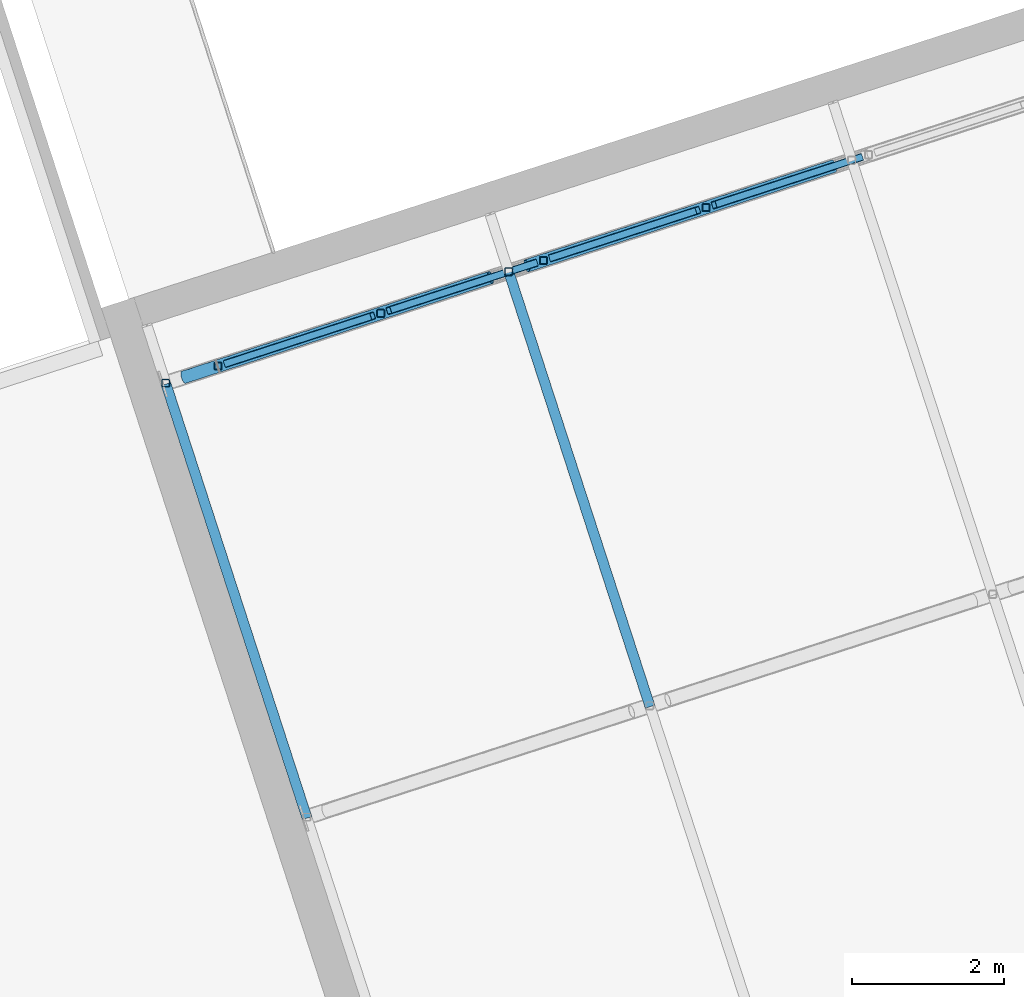
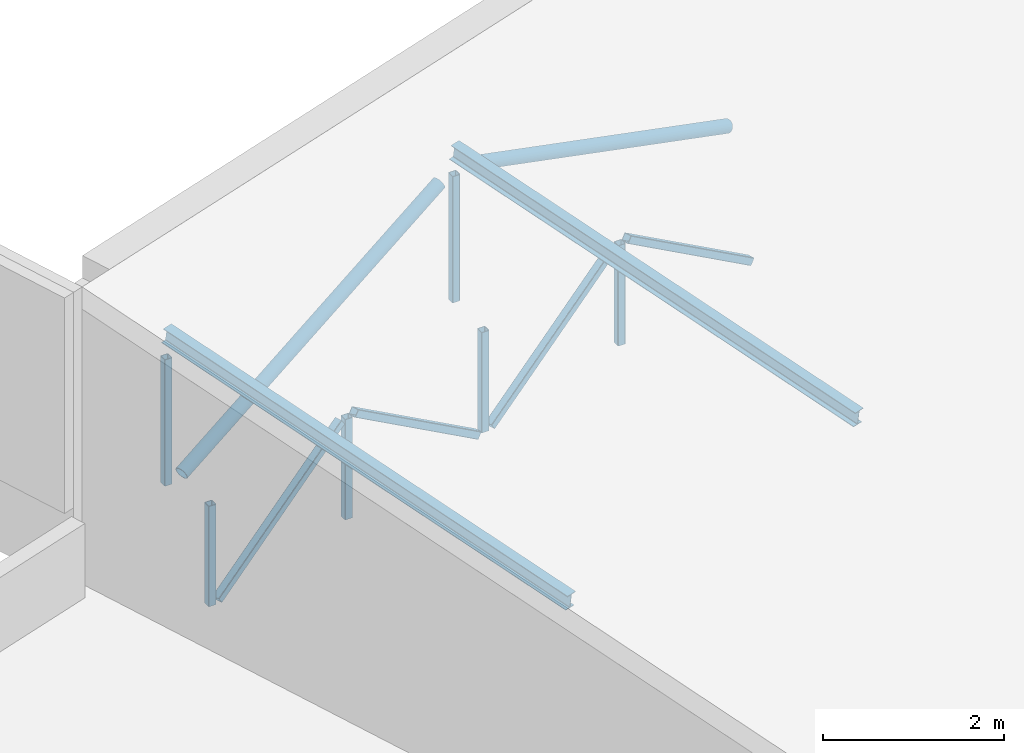
# One storey, part 4 of 55: 14 members.
"""IFC4 building model written with IfcOpenShell, lengths in metres."""

import ifcopenshell
import ifcopenshell.guid

model = None  # the IFC model being written
_history = None  # IfcOwnerHistory: only IFC2X3 demands one
_inside = {}  # id of a spatial element -> (the spatial element, [elements in it])
_under = {}  # id of a project, library or spatial element -> (it, [spatial elements below it])
_declared = {}  # id of a project -> (the project, [libraries it declares])
_typed = {}  # id of a type object -> (the type object, [elements of that type])
_made_of = {}  # id of a material, layer set ... -> (it, [elements and type objects made of it])


def new_model(schema):
    """Start an empty IFC model of exactly this schema.

    Asked for "IFC4X3", IfcOpenShell would pick the latest addendum, in which some entities
    have other attributes; the version numbers below select the first issue.
    IFC2X3 requires an IfcOwnerHistory on every rooted entity: one is made here for all.
    """
    global model, _history
    if schema == "IFC4X3":
        model = ifcopenshell.file(schema_version=(4, 3, 0, 0))
    else:
        model = ifcopenshell.file(schema=schema)
    _inside.clear()
    _under.clear()
    _declared.clear()
    _typed.clear()
    _made_of.clear()
    _history = None
    if model.schema == "IFC2X3":
        org = make("IfcOrganization", Name="unknown")
        user = make(
            "IfcPersonAndOrganization",
            ThePerson=make("IfcPerson", FamilyName="unknown"),
            TheOrganization=org,
        )
        app = make(
            "IfcApplication",
            ApplicationDeveloper=org,
            Version="unknown",
            ApplicationFullName="unknown",
            ApplicationIdentifier="unknown",
        )
        _history = make(
            "IfcOwnerHistory",
            OwningUser=user,
            OwningApplication=app,
            ChangeAction="ADDED",
            CreationDate=0,
        )
    return model


def make(cls, **values):
    """One entity of the class cls with the attributes given. An attribute that is None is left unset."""
    return model.create_entity(
        cls, **{name: value for name, value in values.items() if value is not None}
    )


def rooted(cls, **values):
    """An entity with a GlobalId (a new one), such as an element, a storey or a relation."""
    return make(cls, GlobalId=ifcopenshell.guid.new(), OwnerHistory=_history, **values)


def si_unit(unit_type, name, prefix=None):
    """IfcSIUnit, for example si_unit("LENGTHUNIT", "METRE", prefix="MILLI")."""
    return make("IfcSIUnit", UnitType=unit_type, Prefix=prefix, Name=name)


def assignment(units):
    """IfcUnitAssignment: the units of a project."""
    return None if units is None else make("IfcUnitAssignment", Units=units)


def point(xyz):
    """IfcCartesianPoint."""
    return None if xyz is None else make("IfcCartesianPoint", Coordinates=xyz)


def direction(xyz):
    """IfcDirection."""
    return None if xyz is None else make("IfcDirection", DirectionRatios=xyz)


def frame(location, z_axis=None, x_axis=None):
    """IfcAxis2Placement3D, a coordinate frame: its origin and axes. An axis left out is left unset."""
    return make(
        "IfcAxis2Placement3D",
        Location=point(location),
        Axis=direction(z_axis),
        RefDirection=direction(x_axis),
    )


def frame_2d(location, x_axis=None):
    """IfcAxis2Placement2D, a coordinate frame in the plane: its origin and x axis."""
    return make(
        "IfcAxis2Placement2D", Location=point(location), RefDirection=direction(x_axis)
    )


def origin():
    """The frame at (0, 0, 0) with its axes left unset."""
    return frame((0.0, 0.0, 0.0))


def origin_2d():
    """The frame at (0, 0) in the plane with its x axis left unset."""
    return frame_2d((0.0, 0.0))


def place(relative_to, where):
    """IfcLocalPlacement: puts the frame where relative to a parent placement (None: the world)."""
    return make(
        "IfcLocalPlacement", PlacementRelTo=relative_to, RelativePlacement=where
    )


def context(
    kind, dimensions, precision=None, world=None, true_north=None, identifier=None
):
    """IfcGeometricRepresentationContext, for example the 3D "Model" context."""
    return make(
        "IfcGeometricRepresentationContext",
        ContextIdentifier=identifier,
        ContextType=kind,
        CoordinateSpaceDimension=dimensions,
        Precision=precision,
        WorldCoordinateSystem=world,
        TrueNorth=true_north,
    )


def subcontext(parent, identifier, kind, view, scale=None):
    """IfcGeometricRepresentationSubContext, for example "Body" below "Model"."""
    return make(
        "IfcGeometricRepresentationSubContext",
        ContextIdentifier=identifier,
        ContextType=kind,
        ParentContext=parent,
        TargetScale=scale,
        TargetView=view,
    )


def project(units=None, contexts=None):
    """IfcProject with its units and contexts."""
    return rooted(
        "IfcProject",
        Name="project",
        RepresentationContexts=contexts,
        UnitsInContext=assignment(units),
    )


def spatial(cls, under=None, at=None, **own):
    """A site, building, storey or space (cls), placed at a placement, below another one or the project."""
    s = rooted(cls, ObjectPlacement=at, **own)
    if under is not None:
        _under.setdefault(under.id(), (under, []))[1].append(s)
    return s


def profile(cls, at=None, kind="AREA", **sizes):
    """A parametric profile (cls). Its sizes go by their IFC names, for example OverallWidth=200.0."""
    return make(cls, ProfileType=kind, Position=at, **sizes)


def hollow_rectangle(**sizes):
    """IfcRectangleHollowProfileDef."""
    return profile("IfcRectangleHollowProfileDef", **sizes)


def hollow_circle(**sizes):
    """IfcCircleHollowProfileDef."""
    return profile("IfcCircleHollowProfileDef", **sizes)


def i_section(**sizes):
    """IfcIShapeProfileDef."""
    return profile("IfcIShapeProfileDef", **sizes)


def extrude(swept, where, along, depth):
    """IfcExtrudedAreaSolid: the profile swept, set in the frame where, extruded along a direction by depth."""
    return make(
        "IfcExtrudedAreaSolid",
        SweptArea=swept,
        Position=where,
        ExtrudedDirection=direction(along),
        Depth=depth,
    )


def shape(context_of_items, identifier, shape_type, items):
    """IfcShapeRepresentation: the items that make up one representation, for example the "Body"."""
    return make(
        "IfcShapeRepresentation",
        ContextOfItems=context_of_items,
        RepresentationIdentifier=identifier,
        RepresentationType=shape_type,
        Items=items,
    )


def material(Name=None, Category=None):
    """IfcMaterial."""
    return make("IfcMaterial", Name=Name, Category=Category)


def material_profile(
    of_material, cross_section, Name=None, Category=None, Priority=None
):
    """IfcMaterialProfile: a cross section and its material."""
    return make(
        "IfcMaterialProfile",
        Name=Name,
        Material=of_material,
        Profile=cross_section,
        Priority=Priority,
        Category=Category,
    )


def profile_set(profiles, Name=None, composite=None):
    """IfcMaterialProfileSet."""
    return make(
        "IfcMaterialProfileSet",
        Name=Name,
        MaterialProfiles=profiles,
        CompositeProfile=composite,
    )


def made_of(thing, what):
    """Note that an element or type object is made of a material, layer set ...; save() writes the relation."""
    if what is not None:
        _made_of.setdefault(what.id(), (what, []))[1].append(thing)
    return thing


def type_object(cls, material=None, **own):
    """A type object (cls), such as IfcWallType, which elements share."""
    return made_of(rooted(cls, **own), material)


def element(
    cls,
    number,
    at=None,
    inside=None,
    cuts=None,
    type_object=None,
    material=None,
    context=None,
    identifier="Body",
    shape_type=None,
    held_by="IfcProductDefinitionShape",
    body=None,
    shapes=None,
    **own,
):
    """One element of the class cls, such as IfcWall. Its Tag is "e" and its number.

    at: its placement. inside: the storey or other place that contains it. cuts: it is an
    opening in that element (IfcRelVoidsElement). A single representation is given by context,
    identifier, shape_type and body (its items); several are given by shapes. held_by: the class
    of the entity that holds the representations. save() writes the other relations.
    """
    e = rooted(cls, Tag="e%d" % number, ObjectPlacement=at, **own)
    if body is not None:
        shapes = [shape(context, identifier, shape_type, body)]
    if shapes is not None:
        e.Representation = make(held_by, Representations=shapes)
    if inside is not None:
        _inside.setdefault(inside.id(), (inside, []))[1].append(e)
    if cuts is not None:
        rooted(
            "IfcRelVoidsElement", RelatingBuildingElement=cuts, RelatedOpeningElement=e
        )
    if type_object is not None:
        _typed.setdefault(type_object.id(), (type_object, []))[1].append(e)
    return made_of(e, material)


def aggregate(whole, parts):
    """IfcRelAggregates: a whole, such as a stair, and the parts it consists of."""
    return rooted("IfcRelAggregates", RelatingObject=whole, RelatedObjects=parts)


def save(model, path):
    """Write the relations noted so far, then the file.

    IfcRelAggregates (storeys below a building ...), IfcRelContainedInSpatialStructure (elements
    in a storey), IfcRelDefinesByType, IfcRelAssociatesMaterial and IfcRelDeclares: one each for
    every whole, place, type object, material and project.
    """
    for whole, parts in _under.values():
        aggregate(whole, parts)
    for where, things in _inside.values():
        rooted(
            "IfcRelContainedInSpatialStructure",
            RelatedElements=things,
            RelatingStructure=where,
        )
    for kind, things in _typed.values():
        rooted("IfcRelDefinesByType", RelatedObjects=things, RelatingType=kind)
    for what, things in _made_of.values():
        rooted("IfcRelAssociatesMaterial", RelatedObjects=things, RelatingMaterial=what)
    for by, libraries in _declared.values():
        rooted("IfcRelDeclares", RelatingContext=by, RelatedDefinitions=libraries)
    model.write(path)


model = new_model("IFC4")

# Units and contexts
model_context = context("Model", 3, precision=1e-05, world=origin(), true_north=direction((0.0, 1.0)))
body_context = subcontext(model_context, "Body", "Model", "MODEL_VIEW")
ifc_project = project(units=[si_unit("LENGTHUNIT", "METRE"), si_unit("AREAUNIT", "SQUARE_METRE"), si_unit("VOLUMEUNIT", "CUBIC_METRE"), si_unit("PLANEANGLEUNIT", "RADIAN"), si_unit("MASSUNIT", "GRAM", prefix="KILO")], contexts=[model_context])

# Site, building, storey
site_placement = place(None, origin())
site = spatial("IfcSite", under=ifc_project, at=site_placement, CompositionType="ELEMENT")
building_placement = place(site_placement, origin())
building = spatial("IfcBuilding", under=site, at=building_placement, Name="Tuart Plaza Theatre", CompositionType="ELEMENT")
storey_placement = place(building_placement, frame((0.0, 0.0, 21.5)))
storey = spatial("IfcBuildingStorey", under=building, at=storey_placement, Name="L05", CompositionType="ELEMENT", Elevation=21.5)

# Members
ifc_material_1 = material(Name="Steel Grade C350L0", Category="steel")
ifc_material_profile_1 = material_profile(ifc_material_1, hollow_rectangle(XDim=0.10009765625, YDim=0.10009765625, WallThickness=0.006103515625, InnerFilletRadius=0.006103515625, OuterFilletRadius=0.011962890625, at=origin_2d()), Name="100x100x6 SHS")
ifc_profile_set_1 = profile_set([ifc_material_profile_1], Name="Steel Grade C350L0")
member_type_1 = type_object("IfcMemberType", Name="MEMBER Brace 100x100x6 SHS", PredefinedType="BRACE", material=ifc_profile_set_1)
member_1_placement = place(storey_placement, frame((42.714599609375, 68.022216796875, -0.524169921875), z_axis=(0.791072972357, 0.257066093415, 0.555086097847), x_axis=(-0.309050599318, 0.951045596731, 0.0)))
element("IfcMember", 1, at=member_1_placement, inside=storey, type_object=member_type_1, Name="BR143", PredefinedType="BRACE", context=body_context, shape_type="SweptSolid", body=[
    extrude(hollow_rectangle(XDim=0.10009765625, YDim=0.10009765625, WallThickness=0.006103515625, InnerFilletRadius=0.006103515625, OuterFilletRadius=0.011962890625, at=origin_2d()), origin(), (0.0, 0.0, 1.0), 2.43212890625),
])
member_2_placement = place(storey_placement, frame((44.852294921875, 68.717041015625, 0.825927734375), z_axis=(0.79113093645, 0.256951940791, -0.555056340848), x_axis=(-0.308905988051, 0.951092577274, 0.0)))
element("IfcMember", 2, at=member_2_placement, inside=storey, type_object=member_type_1, Name="BR144", PredefinedType="BRACE", context=body_context, shape_type="SweptSolid", body=[
    extrude(hollow_rectangle(XDim=0.10009765625, YDim=0.10009765625, WallThickness=0.006103515625, InnerFilletRadius=0.006103515625, OuterFilletRadius=0.011962890625, at=origin_2d()), origin(), (0.0, 0.0, 1.0), 2.432373046875),
])
for number, where, z_axis, x_axis, name in (
    (3, (46.990234375, 69.41162109375, -0.524169921875), (0.791072972357, 0.257066093415, 0.555086097847), (-0.309050599318, 0.951045596731, 0.0), "BR145"),
    (4, (49.128173828125, 70.106201171875, 0.825927734375), (0.791072972357, 0.257066093415, -0.555086097847), (-0.309050599318, 0.951045596731, 0.0), "BR146"),
):
    element("IfcMember", number, at=place(storey_placement, frame(where, z_axis=z_axis, x_axis=x_axis)), inside=storey, type_object=member_type_1, Name=name, PredefinedType="BRACE", context=body_context, shape_type="SweptSolid", body=[
        extrude(hollow_rectangle(XDim=0.10009765625, YDim=0.10009765625, WallThickness=0.006103515625, InnerFilletRadius=0.006103515625, OuterFilletRadius=0.011962890625, at=origin_2d()), origin(), (0.0, 0.0, 1.0), 2.43212890625),
    ])
ifc_material_2 = material(Name="Steel Grade C350L0", Category="steel")
ifc_material_profile_2 = material_profile(ifc_material_2, hollow_circle(Radius=0.084228515625, WallThickness=0.00634765625, at=origin_2d()), Name="168.3x6.4 CHS")
ifc_profile_set_2 = profile_set([ifc_material_profile_2], Name="Steel Grade C350L0")
member_type_2 = type_object("IfcMemberType", Name="MEMBER Brace 168.3x6.4 CHS", PredefinedType="BRACE", material=ifc_profile_set_2)
for number, where, z_axis, x_axis, name in (
    (5, (42.155517578125, 67.840576171875, 1.475830078125), (0.882805299901, 0.28684361714, 0.371988631241), (-0.309019710385, 0.951055633806, 0.0), "BR25"),
    (6, (46.6650390625, 69.305908203125, 3.176025390625), (0.882805299901, 0.28684361714, -0.371988631241), (-0.309019710385, 0.951055633806, 0.0), "BR26"),
):
    element("IfcMember", number, at=place(storey_placement, frame(where, z_axis=z_axis, x_axis=x_axis)), inside=storey, type_object=member_type_2, Name=name, PredefinedType="BRACE", context=body_context, shape_type="SweptSolid", body=[
        extrude(hollow_circle(Radius=0.084228515625, WallThickness=0.00634765625, at=origin_2d()), origin(), (0.0, 0.0, 1.0), 4.570556640625),
    ])
ifc_material_3 = material(Name="Steel Grade C350L0", Category="steel")
ifc_material_profile_3 = material_profile(ifc_material_3, hollow_rectangle(XDim=0.10009765625, YDim=0.10009765625, WallThickness=0.006103515625, InnerFilletRadius=0.006103515625, OuterFilletRadius=0.011962890625, at=origin_2d()), Name="100x100x6 SHS")
ifc_profile_set_3 = profile_set([ifc_material_profile_3], Name="Steel Grade C350L0")
member_type_3 = type_object("IfcMemberType", Name="MEMBER Post 100x100x6 SHS", PredefinedType="POST", material=ifc_profile_set_3)
for number, where, z_axis, x_axis, name in (
    (7, (41.91796875, 67.763427734375, 1.475830078125), (0.0, 0.0, 1.0), (1.0, 0.0, 0.0), "PO29"),
    (8, (46.427734375, 69.228759765625, 1.475830078125), (0.0, 0.0, 1.0), (1.0, 0.0, 0.0), "PO30"),
):
    element("IfcMember", number, at=place(storey_placement, frame(where, z_axis=z_axis, x_axis=x_axis)), inside=storey, type_object=member_type_3, Name=name, PredefinedType="POST", context=body_context, shape_type="SweptSolid", body=[
        extrude(hollow_rectangle(XDim=0.10009765625, YDim=0.10009765625, WallThickness=0.006103515625, InnerFilletRadius=0.006103515625, OuterFilletRadius=0.011962890625, at=origin_2d()), origin(), (0.0, 0.0, 1.0), 1.7001953125),
    ])
for number, where, z_axis, x_axis, name in (
    (9, (42.607666015625, 67.987548828125, -0.524169921875), (0.0, 0.0, 1.0), (1.0, 0.0, 0.0), "PO187"),
    (10, (44.74560546875, 68.68212890625, -0.524169921875), (0.0, 0.0, 1.0), (1.0, 0.0, 0.0), "PO188"),
    (11, (46.88330078125, 69.376953125, -0.524169921875), (0.0, 0.0, 1.0), (1.0, 0.0, 0.0), "PO189"),
    (12, (49.021240234375, 70.071533203125, -0.524169921875), (0.0, 0.0, 1.0), (1.0, 0.0, 0.0), "PO190"),
):
    element("IfcMember", number, at=place(storey_placement, frame(where, z_axis=z_axis, x_axis=x_axis)), inside=storey, type_object=member_type_3, Name=name, PredefinedType="POST", context=body_context, shape_type="SweptSolid", body=[
        extrude(hollow_rectangle(XDim=0.10009765625, YDim=0.10009765625, WallThickness=0.006103515625, InnerFilletRadius=0.006103515625, OuterFilletRadius=0.011962890625, at=origin_2d()), origin(), (0.0, 0.0, 1.0), 1.35009765625),
    ])
ifc_material_4 = material(Name="Steel Grade 300", Category="steel")
ifc_material_profile_4 = material_profile(ifc_material_4, i_section(OverallWidth=0.133056640625, OverallDepth=0.202880859375, WebThickness=0.005859375, FlangeThickness=0.0078125, FilletRadius=0.0087890625, at=origin_2d()), Name="200UB25.4")
ifc_profile_set_4 = profile_set([ifc_material_profile_4], Name="Steel Grade 300")
member_type_4 = type_object("IfcMemberType", Name="MEMBER Purlin 200UB25.4", PredefinedType="PURLIN", material=ifc_profile_set_4)
for number, where, z_axis, x_axis, name in (
    (13, (43.772216796875, 62.05712890625, 2.699462890625), (-0.306383361879, 0.942870087847, 0.130863413553), (-0.951048719763, -0.309040988602, 0.0), "PU5"),
    (14, (48.28173828125, 63.5224609375, 2.699462890625), (-0.306346807821, 0.942881740744, 0.130865030889), (-0.95106067854, -0.309004184009, 0.0), "PU11"),
):
    element("IfcMember", number, at=place(storey_placement, frame(where, z_axis=z_axis, x_axis=x_axis)), inside=storey, type_object=member_type_4, Name=name, PredefinedType="PURLIN", context=body_context, shape_type="SweptSolid", body=[
        extrude(i_section(OverallWidth=0.133056640625, OverallDepth=0.202880859375, WebThickness=0.005859375, FlangeThickness=0.0078125, FilletRadius=0.0087890625, at=origin_2d()), origin(), (0.0, 0.0, 1.0), 6.052001953125),
    ])

save(model, "model.ifc")
